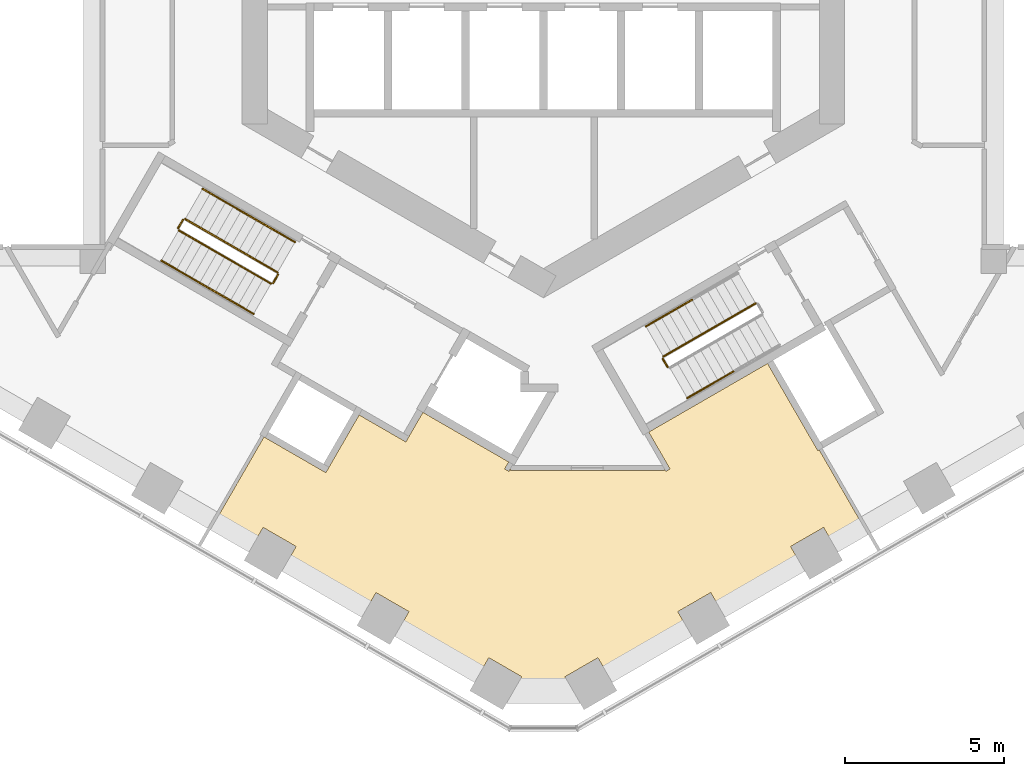
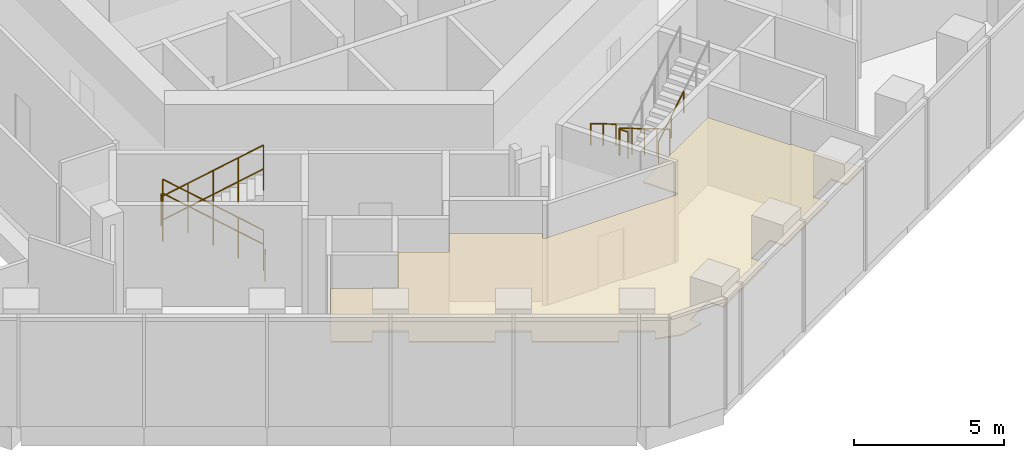
# One storey, part 13 of 14: 12 railings, 1 covering.
"""IFC4 building model written with IfcOpenShell, lengths in metres."""

from ifc_helpers import new_model, si_unit, direction, frame, origin, origin_2d, place, context, subcontext, project, spatial, polyline, circle, outline, extrude, material, layer, layer_set, type_object, element, save


model = new_model("IFC4")

# Units and contexts
model_context = context("Model", 3, precision=1e-05, world=origin(), true_north=direction((0.0, 1.0)))
body_context = subcontext(model_context, "Body", "Model", "MODEL_VIEW")
ifc_project = project(units=[si_unit("LENGTHUNIT", "METRE"), si_unit("AREAUNIT", "SQUARE_METRE"), si_unit("VOLUMEUNIT", "CUBIC_METRE"), si_unit("PLANEANGLEUNIT", "RADIAN"), si_unit("MASSUNIT", "GRAM", prefix="KILO")], contexts=[model_context])

# Site, building, storey
site_placement = place(None, origin())
site = spatial("IfcSite", under=ifc_project, at=site_placement, CompositionType="ELEMENT")
building_placement = place(site_placement, origin())
building = spatial("IfcBuilding", under=site, at=building_placement, Name="Ayvan Gate Tower", CompositionType="ELEMENT")
storey_placement = place(building_placement, frame((0.0, 0.0, 7.0)))
storey = spatial("IfcBuildingStorey", under=building, at=storey_placement, Name="L01", CompositionType="ELEMENT", Elevation=7.0)

# Covering
ifc_material_1 = material(Name="Plasterboard suspended ceiling")
ifc_layer = layer(ifc_material_1, 0.050048828125)
ifc_layer_set = layer_set([ifc_layer], Name="Plasterboard suspended ceiling")
covering_type = type_object("IfcCoveringType", Name="CT-SUSP-50", PredefinedType="CEILING", material=ifc_layer_set)
covering_placement = place(storey_placement, frame((0.0, 0.0, 2.699951171875)))
element("IfcCovering", 1, at=covering_placement, inside=storey, type_object=covering_type, Name="Ceiling Gym L01", PredefinedType="CEILING", context=body_context, shape_type="SweptSolid", body=[
    extrude(outline(polyline([(-6.858154296875, -16.478515625), (-6.76806640625, -16.32275390625), (-5.80810546875, -14.659912109375), (-4.3359375, -15.510009765625), (-4.245849609375, -15.35400390625), (-4.235595703125, -15.33642578125), (-3.798583984375, -14.5791015625), (-3.775390625, -14.59228515625), (-1.092041015625, -16.1416015625), (-1.22021484375, -16.36328125), (-1.090087890625, -16.4384765625), (-1.042724609375, -16.35595703125), (-1.042724609375, -16.410888671875), (3.81396484375, -16.410888671875), (3.81396484375, -16.35595703125), (3.861572265625, -16.4384765625), (3.991455078125, -16.36328125), (3.320556640625, -15.201416015625), (3.346435546875, -15.186279296875), (7.066162109375, -13.038818359375), (8.653564453125, -15.78857421875), (8.697021484375, -15.763427734375), (10.089111328125, -18.175048828125), (9.133544921875, -18.726806640625), (8.83349609375, -18.207275390625), (7.794189453125, -18.80712890625), (8.09423828125, -19.326904296875), (6.238037109375, -20.3984375), (5.576416015625, -20.780517578125), (5.276611328125, -20.2607421875), (4.2373046875, -20.86083984375), (4.537353515625, -21.38037109375), (2.01953125, -22.833984375), (1.719482421875, -22.314453125), (0.680419921875, -22.914306640625), (0.89990234375, -23.294677734375), (0.0, -23.535888671875), (-0.89990234375, -23.294677734375), (-0.680419921875, -22.914306640625), (-1.719482421875, -22.314453125), (-2.01953125, -22.833984375), (-4.159423828125, -21.598388671875), (-4.537353515625, -21.38037109375), (-4.2373046875, -20.86083984375), (-5.276611328125, -20.2607421875), (-5.576416015625, -20.780517578125), (-8.09423828125, -19.326904296875), (-7.794189453125, -18.80712890625), (-8.83349609375, -18.207275390625), (-9.133544921875, -18.726806640625), (-10.34912109375, -18.02490234375), (-8.806640625, -15.353515625), (-8.763427734375, -15.378662109375), (-6.858154296875, -16.478515625)])), origin(), (0.0, 0.0, 1.0), 0.050048828125),
])

# Railings
ifc_material_2 = material(Name="Stainless steel balustrade", Category="steel")
railing_type_1 = type_object("IfcRailingType", Name="RL-GUARD-1100", PredefinedType="GUARDRAIL", material=ifc_material_2)
railing_1_placement = place(storey_placement, frame((-8.381103515625, -10.16650390625, 0.173095703125)))
element("IfcRailing", 2, at=railing_1_placement, inside=storey, type_object=railing_type_1, Name="L01 STS2 stair guard 1", PredefinedType="GUARDRAIL", context=body_context, shape_type="SweptSolid", body=[
    extrude(circle(Radius=0.02392578125, at=origin_2d()), frame((0.0, 0.0, 1.076171875), z_axis=(-0.736667954249, 0.425288379326, 0.525785240943), x_axis=(-0.499976138585, -0.866039179741, 0.0)), (0.0, 0.0, 1.0), 3.9501953125),
    extrude(circle(Radius=0.02099609375, at=origin_2d()), origin(), (0.0, 0.0, 1.0), 1.052001953125),
    extrude(circle(Radius=0.02099609375, at=origin_2d()), frame((-0.7275390625, 0.419921875, 0.519287109375)), (0.0, 0.0, 1.0), 1.052001953125),
    extrude(circle(Radius=0.02099609375, at=origin_2d()), frame((-1.455078125, 0.83984375, 1.03857421875)), (0.0, 0.0, 1.0), 1.052001953125),
    extrude(circle(Radius=0.02099609375, at=origin_2d()), frame((-2.182373046875, 1.260009765625, 1.5576171875)), (0.0, 0.0, 1.0), 1.052001953125),
    extrude(circle(Radius=0.02099609375, at=origin_2d()), frame((-2.909912109375, 1.679931640625, 2.076904296875)), (0.0, 0.0, 1.0), 1.052001953125),
])
railing_2_placement = place(storey_placement, frame((-11.359130859375, -8.5048828125, 2.25)))
element("IfcRailing", 3, at=railing_2_placement, inside=storey, type_object=railing_type_1, Name="L01 STS2 stair guard 2", PredefinedType="GUARDRAIL", context=body_context, shape_type="SweptSolid", body=[
    extrude(circle(Radius=0.02392578125, at=origin_2d()), frame((0.0, 0.0, 1.076171875), z_axis=(-0.500290723946, -0.86585748916, 0.0), x_axis=(0.86585748916, -0.500290723946, 0.0)), (0.0, 0.0, 1.0), 0.309814453125),
    extrude(circle(Radius=0.02099609375, at=origin_2d()), origin(), (0.0, 0.0, 1.0), 1.052001953125),
    extrude(circle(Radius=0.02099609375, at=origin_2d()), frame((-0.155029296875, -0.268310546875, 0.0)), (0.0, 0.0, 1.0), 1.052001953125),
])
railing_3_placement = place(storey_placement, frame((-11.495849609375, -8.841552734375, 2.423095703125)))
element("IfcRailing", 4, at=railing_3_placement, inside=storey, type_object=railing_type_1, Name="L01 STS2 stair guard 3", PredefinedType="GUARDRAIL", context=body_context, shape_type="SweptSolid", body=[
    extrude(circle(Radius=0.02392578125, at=origin_2d()), frame((0.0, 0.0, 1.076171875), z_axis=(0.736639687092, -0.425307743487, 0.525809180911), x_axis=(0.500007602105, 0.866021014662, 0.0)), (0.0, 0.0, 1.0), 3.949951171875),
    extrude(circle(Radius=0.02099609375, at=origin_2d()), origin(), (0.0, 0.0, 1.0), 1.052001953125),
    extrude(circle(Radius=0.02099609375, at=origin_2d()), frame((0.7275390625, -0.419921875, 0.519287109375)), (0.0, 0.0, 1.0), 1.052001953125),
    extrude(circle(Radius=0.02099609375, at=origin_2d()), frame((1.454833984375, -0.83984375, 1.03857421875)), (0.0, 0.0, 1.0), 1.052001953125),
    extrude(circle(Radius=0.02099609375, at=origin_2d()), frame((2.18212890625, -1.260009765625, 1.5576171875)), (0.0, 0.0, 1.0), 1.052001953125),
    extrude(circle(Radius=0.02099609375, at=origin_2d()), frame((2.90966796875, -1.679931640625, 2.076904296875)), (0.0, 0.0, 1.0), 1.052001953125),
])
railing_4_placement = place(storey_placement, frame((-8.36279296875, -10.23486328125, 0.0)))
element("IfcRailing", 5, at=railing_4_placement, inside=storey, type_object=railing_type_1, Name="L01 STS2 stair guard 4", PredefinedType="GUARDRAIL", context=body_context, shape_type="SweptSolid", body=[
    extrude(circle(Radius=0.02392578125, at=origin_2d()), frame((0.0, 0.0, 1.076171875), z_axis=(-0.500290723946, -0.86585748916, 0.0), x_axis=(0.86585748916, -0.500290723946, 0.0)), (0.0, 0.0, 1.0), 0.309814453125),
    extrude(circle(Radius=0.02099609375, at=origin_2d()), origin(), (0.0, 0.0, 1.0), 1.052001953125),
    extrude(circle(Radius=0.02099609375, at=origin_2d()), frame((-0.155029296875, -0.268310546875, 0.0)), (0.0, 0.0, 1.0), 1.052001953125),
])
railing_5_placement = place(storey_placement, frame((6.6923828125, -11.1416015625, 0.173095703125)))
element("IfcRailing", 6, at=railing_5_placement, inside=storey, type_object=railing_type_1, Name="L01 STS3 stair guard 1", PredefinedType="GUARDRAIL", context=body_context, shape_type="SweptSolid", body=[
    extrude(circle(Radius=0.02392578125, at=origin_2d()), frame((0.0, 0.0, 1.076171875), z_axis=(-0.736667954249, -0.425288379326, 0.525785240943), x_axis=(0.499976138585, -0.866039179741, 0.0)), (0.0, 0.0, 1.0), 3.9501953125),
    extrude(circle(Radius=0.02099609375, at=origin_2d()), origin(), (0.0, 0.0, 1.0), 1.052001953125),
    extrude(circle(Radius=0.02099609375, at=origin_2d()), frame((-0.7275390625, -0.419921875, 0.519287109375)), (0.0, 0.0, 1.0), 1.052001953125),
    extrude(circle(Radius=0.02099609375, at=origin_2d()), frame((-1.455078125, -0.83984375, 1.03857421875)), (0.0, 0.0, 1.0), 1.052001953125),
    extrude(circle(Radius=0.02099609375, at=origin_2d()), frame((-2.182373046875, -1.260009765625, 1.5576171875)), (0.0, 0.0, 1.0), 1.052001953125),
    extrude(circle(Radius=0.02099609375, at=origin_2d()), frame((-2.909912109375, -1.679931640625, 2.076904296875)), (0.0, 0.0, 1.0), 1.052001953125),
])
railing_6_placement = place(storey_placement, frame((3.76416015625, -12.889892578125, 2.25)))
element("IfcRailing", 7, at=railing_6_placement, inside=storey, type_object=railing_type_1, Name="L01 STS3 stair guard 2", PredefinedType="GUARDRAIL", context=body_context, shape_type="SweptSolid", body=[
    extrude(circle(Radius=0.02392578125, at=origin_2d()), frame((0.0, 0.0, 1.076171875), z_axis=(0.500290723946, -0.86585748916, 0.0), x_axis=(0.86585748916, 0.500290723946, 0.0)), (0.0, 0.0, 1.0), 0.309814453125),
    extrude(circle(Radius=0.02099609375, at=origin_2d()), origin(), (0.0, 0.0, 1.0), 1.052001953125),
    extrude(circle(Radius=0.02099609375, at=origin_2d()), frame((0.155029296875, -0.268310546875, 0.0)), (0.0, 0.0, 1.0), 1.052001953125),
])
railing_type_2 = type_object("IfcRailingType", Name="RL-HANDRAIL-900", PredefinedType="HANDRAIL", material=ifc_material_2)
railing_7_placement = place(storey_placement, frame((-7.8310546875, -9.2138671875, 0.173095703125)))
element("IfcRailing", 8, at=railing_7_placement, inside=storey, type_object=railing_type_2, Name="L01 STS2 stair handrail 1", PredefinedType="HANDRAIL", context=body_context, shape_type="SweptSolid", body=[
    extrude(circle(Radius=0.02392578125, at=origin_2d()), frame((0.0, 0.0, 0.8759765625), z_axis=(-0.736700790218, 0.425333459587, 0.525702761879), x_axis=(-0.499999171277, -0.866025882247, 0.0)), (0.0, 0.0, 1.0), 1.97509765625),
    extrude(circle(Radius=0.02099609375, at=origin_2d()), origin(), (0.0, 0.0, 1.0), 0.851806640625),
    extrude(circle(Radius=0.02099609375, at=origin_2d()), frame((-0.7275390625, 0.419921875, 0.51904296875)), (0.0, 0.0, 1.0), 0.851806640625),
    extrude(circle(Radius=0.02099609375, at=origin_2d()), frame((-1.455078125, 0.840087890625, 1.038330078125)), (0.0, 0.0, 1.0), 0.851806640625),
])
railing_8_placement = place(storey_placement, frame((-9.2861328125, -8.373779296875, 1.21142578125)))
element("IfcRailing", 9, at=railing_8_placement, inside=storey, type_object=railing_type_2, Name="L01 STS2 stair handrail 2", PredefinedType="HANDRAIL", context=body_context, shape_type="SweptSolid", body=[
    extrude(circle(Radius=0.02392578125, at=origin_2d()), frame((0.0, 0.0, 0.8759765625), z_axis=(-0.736635108394, 0.425243291303, 0.52586772128), x_axis=(-0.499953100966, -0.866052479261, 0.0)), (0.0, 0.0, 1.0), 1.974853515625),
    extrude(circle(Radius=0.02099609375, at=origin_2d()), origin(), (0.0, 0.0, 1.0), 0.851806640625),
    extrude(circle(Radius=0.02099609375, at=origin_2d()), frame((-0.7275390625, 0.419921875, 0.519287109375)), (0.0, 0.0, 1.0), 0.851806640625),
    extrude(circle(Radius=0.02099609375, at=origin_2d()), frame((-1.454833984375, 0.83984375, 1.03857421875)), (0.0, 0.0, 1.0), 0.851806640625),
])
railing_9_placement = place(storey_placement, frame((-12.0458984375, -9.794189453125, 2.423095703125)))
element("IfcRailing", 10, at=railing_9_placement, inside=storey, type_object=railing_type_2, Name="L01 STS2 stair handrail 3", PredefinedType="HANDRAIL", context=body_context, shape_type="SweptSolid", body=[
    extrude(circle(Radius=0.02392578125, at=origin_2d()), frame((0.0, 0.0, 0.8759765625), z_axis=(0.736644260248, -0.425372193239, 0.525750635817), x_axis=(0.500062097304, 0.865989548921, 0.0)), (0.0, 0.0, 1.0), 1.974853515625),
    extrude(circle(Radius=0.02099609375, at=origin_2d()), origin(), (0.0, 0.0, 1.0), 0.851806640625),
    extrude(circle(Radius=0.02099609375, at=origin_2d()), frame((0.7275390625, -0.419921875, 0.51904296875)), (0.0, 0.0, 1.0), 0.851806640625),
    extrude(circle(Radius=0.02099609375, at=origin_2d()), frame((1.454833984375, -0.840087890625, 1.038330078125)), (0.0, 0.0, 1.0), 0.851806640625),
])
railing_10_placement = place(storey_placement, frame((-10.591064453125, -10.63427734375, 3.46142578125)))
element("IfcRailing", 11, at=railing_10_placement, inside=storey, type_object=railing_type_2, Name="L01 STS2 stair handrail 4", PredefinedType="HANDRAIL", context=body_context, shape_type="SweptSolid", body=[
    extrude(circle(Radius=0.02392578125, at=origin_2d()), frame((0.0, 0.0, 0.8759765625), z_axis=(0.736691639328, -0.42520457035, 0.525819837869), x_axis=(0.499890179513, 0.866088799389, 0.0)), (0.0, 0.0, 1.0), 1.97509765625),
    extrude(circle(Radius=0.02099609375, at=origin_2d()), origin(), (0.0, 0.0, 1.0), 0.851806640625),
    extrude(circle(Radius=0.02099609375, at=origin_2d()), frame((0.7275390625, -0.419921875, 0.519287109375)), (0.0, 0.0, 1.0), 0.851806640625),
    extrude(circle(Radius=0.02099609375, at=origin_2d()), frame((1.455078125, -0.83984375, 1.03857421875)), (0.0, 0.0, 1.0), 0.851806640625),
])
railing_11_placement = place(storey_placement, frame((4.6875, -11.02880859375, 1.21142578125)))
element("IfcRailing", 12, at=railing_11_placement, inside=storey, type_object=railing_type_2, Name="L01 STS3 stair handrail 2", PredefinedType="HANDRAIL", context=body_context, shape_type="SweptSolid", body=[
    extrude(circle(Radius=0.02392578125, at=origin_2d()), frame((0.0, 0.0, 0.8759765625), z_axis=(-0.736652917841, -0.425305820519, 0.525792200083), x_axis=(0.499999171277, -0.866025882247, 0.0)), (0.0, 0.0, 1.0), 1.975341796875),
    extrude(circle(Radius=0.02099609375, at=origin_2d()), origin(), (0.0, 0.0, 1.0), 0.851806640625),
    extrude(circle(Radius=0.02099609375, at=origin_2d()), frame((-0.7275390625, -0.419921875, 0.519287109375)), (0.0, 0.0, 1.0), 0.851806640625),
    extrude(circle(Radius=0.02099609375, at=origin_2d()), frame((-1.455078125, -0.840087890625, 1.03857421875)), (0.0, 0.0, 1.0), 0.851806640625),
])
railing_12_placement = place(storey_placement, frame((4.53759765625, -14.129150390625, 2.423095703125)))
element("IfcRailing", 13, at=railing_12_placement, inside=storey, type_object=railing_type_2, Name="L01 STS3 stair handrail 3", PredefinedType="HANDRAIL", context=body_context, shape_type="SweptSolid", body=[
    extrude(circle(Radius=0.02392578125, at=origin_2d()), frame((0.0, 0.0, 0.8759765625), z_axis=(0.736682993367, 0.425270934248, 0.525778280045), x_axis=(-0.499953100966, 0.866052479261, 0.0)), (0.0, 0.0, 1.0), 1.974853515625),
    extrude(circle(Radius=0.02099609375, at=origin_2d()), origin(), (0.0, 0.0, 1.0), 0.851806640625),
    extrude(circle(Radius=0.02099609375, at=origin_2d()), frame((0.7275390625, 0.419921875, 0.51904296875)), (0.0, 0.0, 1.0), 0.851806640625),
    extrude(circle(Radius=0.02099609375, at=origin_2d()), frame((1.454833984375, 0.83984375, 1.038330078125)), (0.0, 0.0, 1.0), 0.851806640625),
])

save(model, "model.ifc")
